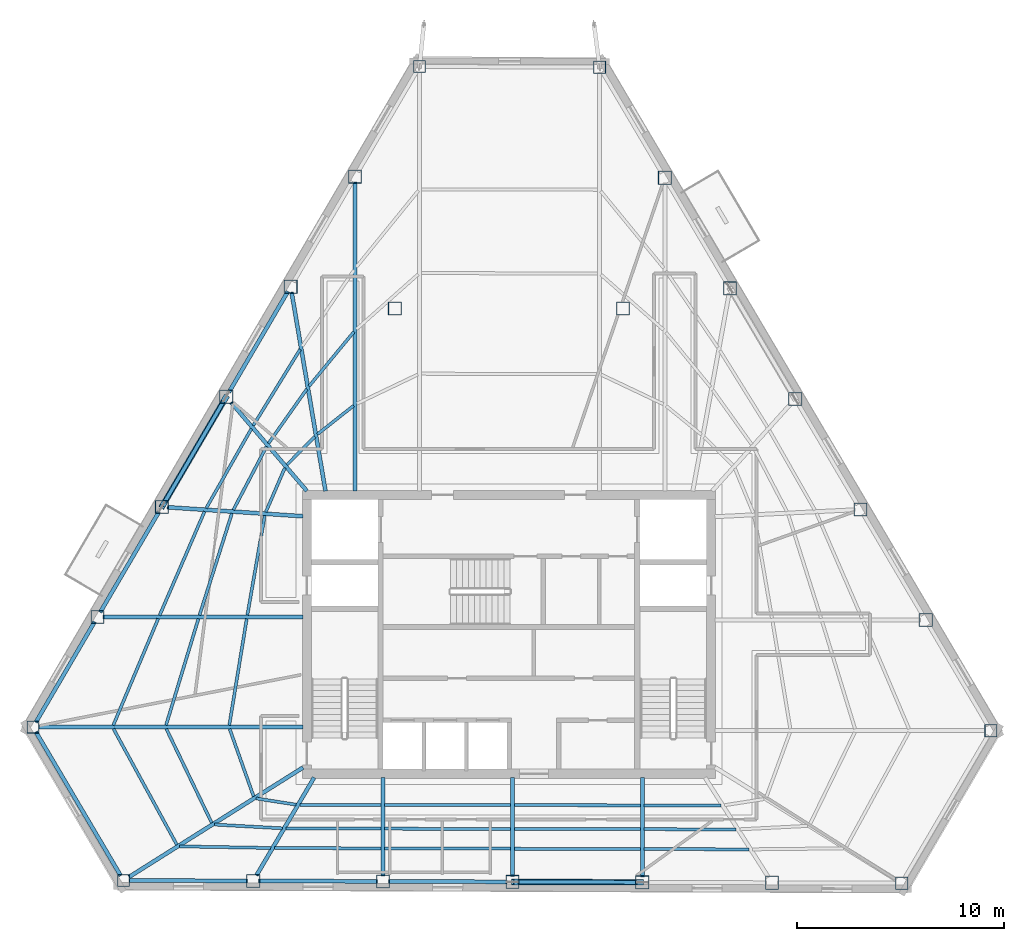
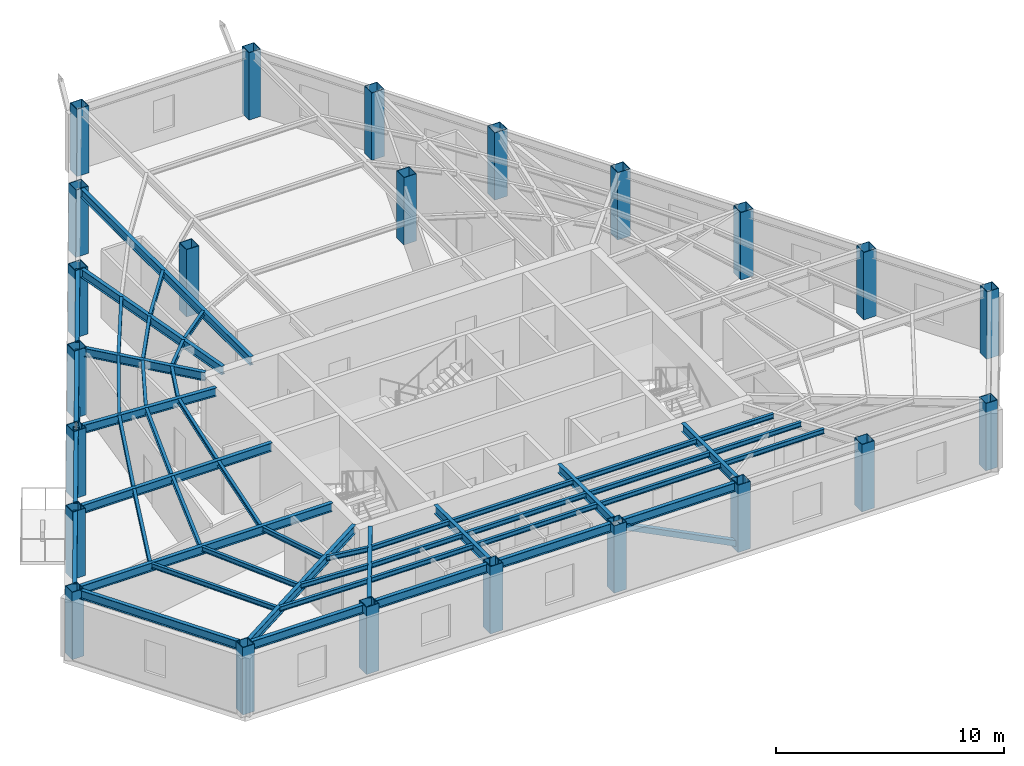
# One storey, part 1 of 10: 52 beams, 23 columns, 2 members.
"""IFC4 building model written with IfcOpenShell, lengths in metres."""

from ifc_helpers import new_model, si_unit, direction, frame, origin, origin_2d, place, context, subcontext, project, spatial, hollow_rectangle, i_section, extrude, material, material_profile, profile_set, type_object, element, save


model = new_model("IFC4")

# Units and contexts
model_context = context("Model", 3, precision=1e-05, world=origin(), true_north=direction((0.0, 1.0)))
body_context = subcontext(model_context, "Body", "Model", "MODEL_VIEW")
ifc_project = project(units=[si_unit("LENGTHUNIT", "METRE"), si_unit("AREAUNIT", "SQUARE_METRE"), si_unit("VOLUMEUNIT", "CUBIC_METRE"), si_unit("PLANEANGLEUNIT", "RADIAN"), si_unit("MASSUNIT", "GRAM", prefix="KILO")], contexts=[model_context])

# Site, building, storey
site_placement = place(None, origin())
site = spatial("IfcSite", under=ifc_project, at=site_placement, CompositionType="ELEMENT")
building_placement = place(site_placement, origin())
building = spatial("IfcBuilding", under=site, at=building_placement, Name="Kavelnor Concourse Tower", CompositionType="ELEMENT")
storey_placement = place(building_placement, frame((0.0, 0.0, 199.64990234375)))
storey = spatial("IfcBuildingStorey", under=building, at=storey_placement, Name="L50", CompositionType="ELEMENT", Elevation=199.64990234375)

# Columns
ifc_material = material(Name="Steel Grade 350", Category="steel")
ifc_material_profile_1 = material_profile(ifc_material, hollow_rectangle(XDim=0.60009765625, YDim=0.60009765625, WallThickness=0.028076171875, at=origin_2d()), Name="SHS 600x600x28")
ifc_profile_set_1 = profile_set([ifc_material_profile_1], Name="Steel Grade 350")
column_type_1 = type_object("IfcColumnType", Name="COL-FOLD-Z3", PredefinedType="COLUMN", material=ifc_profile_set_1)
for number, where, z_axis, x_axis, name in (
    (1, (33.68896484375, 43.462158203125, 0.0), (0.0, 0.0, 1.0), (1.0, 0.0, 0.0), "L50 Perimeter Corner-Fold Column F0-B0"),
    (2, (15.0625, 11.626708984375, 0.0), (0.0, 0.0, 1.0), (1.0, 0.0, 0.0), "L50 Perimeter Corner-Fold Column F0-B6"),
    (3, (19.42333984375, 4.234130859375, 0.0), (0.0, 0.0, 1.0), (1.0, 0.0, 0.0), "L50 Perimeter Corner-Fold Column F1-B0"),
    (4, (56.926513671875, 4.10009765625, 0.0), (0.0, 0.0, 1.0), (1.0, 0.0, 0.0), "L50 Perimeter Corner-Fold Column F1-B6"),
    (5, (61.230224609375, 11.455810546875, 0.0), (0.0, 0.0, 1.0), (1.0, 0.0, 0.0), "L50 Perimeter Corner-Fold Column F2-B0"),
    (6, (42.3681640625, 43.43115234375, 0.0), (0.0, 0.0, 1.0), (1.0, 0.0, 0.0), "L50 Perimeter Corner-Fold Column F2-B6"),
):
    element("IfcColumn", number, at=place(storey_placement, frame(where, z_axis=z_axis, x_axis=x_axis)), inside=storey, type_object=column_type_1, Name=name, PredefinedType="COLUMN", context=body_context, shape_type="SweptSolid", body=[
        extrude(hollow_rectangle(XDim=0.60009765625, YDim=0.60009765625, WallThickness=0.028076171875, at=origin_2d()), origin(), (0.0, 0.0, 1.0), 3.60009765625),
    ])
ifc_material_profile_2 = material_profile(ifc_material, hollow_rectangle(XDim=0.639892578125, YDim=0.639892578125, WallThickness=0.028076171875, at=origin_2d()), Name="SHS 640x640x28")
ifc_profile_set_2 = profile_set([ifc_material_profile_2], Name="Steel Grade 350")
column_type_2 = type_object("IfcColumnType", Name="COL-TUBE-Z3", PredefinedType="COLUMN", material=ifc_profile_set_2)
for number, where, z_axis, x_axis, name in (
    (7, (30.584716796875, 38.15625, 0.0), (0.0, 0.0, 1.0), (1.0, 0.0, 0.0), "L50 Perimeter Framed-Tube Column F0-B1"),
    (8, (27.480224609375, 32.850341796875, 0.0), (0.0, 0.0, 1.0), (1.0, 0.0, 0.0), "L50 Perimeter Framed-Tube Column F0-B2"),
    (9, (24.375732421875, 27.54443359375, 0.0), (0.0, 0.0, 1.0), (1.0, 0.0, 0.0), "L50 Perimeter Framed-Tube Column F0-B3"),
    (10, (21.271484375, 22.238525390625, 0.0), (0.0, 0.0, 1.0), (1.0, 0.0, 0.0), "L50 Perimeter Framed-Tube Column F0-B4"),
    (11, (18.1669921875, 16.9326171875, 0.0), (0.0, 0.0, 1.0), (1.0, 0.0, 0.0), "L50 Perimeter Framed-Tube Column F0-B5"),
    (12, (25.673828125, 4.2119140625, 0.0), (0.0, 0.0, 1.0), (1.0, 0.0, 0.0), "L50 Perimeter Framed-Tube Column F1-B1"),
    (13, (31.92431640625, 4.189453125, 0.0), (0.0, 0.0, 1.0), (1.0, 0.0, 0.0), "L50 Perimeter Framed-Tube Column F1-B2"),
    (14, (38.1748046875, 4.167236328125, 0.0), (0.0, 0.0, 1.0), (1.0, 0.0, 0.0), "L50 Perimeter Framed-Tube Column F1-B3"),
    (15, (44.425537109375, 4.144775390625, 0.0), (0.0, 0.0, 1.0), (1.0, 0.0, 0.0), "L50 Perimeter Framed-Tube Column F1-B4"),
    (16, (50.676025390625, 4.12255859375, 0.0), (0.0, 0.0, 1.0), (1.0, 0.0, 0.0), "L50 Perimeter Framed-Tube Column F1-B5"),
    (17, (58.08642578125, 16.784912109375, 0.0), (0.0, 0.0, 1.0), (1.0, 0.0, 0.0), "L50 Perimeter Framed-Tube Column F2-B1"),
    (18, (54.94287109375, 22.1142578125, 0.0), (0.0, 0.0, 1.0), (1.0, 0.0, 0.0), "L50 Perimeter Framed-Tube Column F2-B2"),
    (19, (51.799072265625, 27.443359375, 0.0), (0.0, 0.0, 1.0), (1.0, 0.0, 0.0), "L50 Perimeter Framed-Tube Column F2-B3"),
    (20, (48.655517578125, 32.772705078125, 0.0), (0.0, 0.0, 1.0), (1.0, 0.0, 0.0), "L50 Perimeter Framed-Tube Column F2-B4"),
    (21, (45.51171875, 38.10205078125, 0.0), (0.0, 0.0, 1.0), (1.0, 0.0, 0.0), "L50 Perimeter Framed-Tube Column F2-B5"),
    (22, (32.5, 31.800048828125, 0.0), (0.0, 0.0, 1.0), (1.0, 0.0, 0.0), "L50 North Interior Gravity Column BC-NW"),
    (23, (43.5, 31.800048828125, 0.0), (0.0, 0.0, 1.0), (1.0, 0.0, 0.0), "L50 North Interior Gravity Column BC-NE"),
):
    element("IfcColumn", number, at=place(storey_placement, frame(where, z_axis=z_axis, x_axis=x_axis)), inside=storey, type_object=column_type_2, Name=name, PredefinedType="COLUMN", context=body_context, shape_type="SweptSolid", body=[
        extrude(hollow_rectangle(XDim=0.639892578125, YDim=0.639892578125, WallThickness=0.028076171875, at=origin_2d()), origin(), (0.0, 0.0, 1.0), 3.60009765625),
    ])

# Beams
ifc_material_profile_3 = material_profile(ifc_material, i_section(OverallWidth=0.14599609375, OverallDepth=0.256103515625, WebThickness=0.00634765625, FlangeThickness=0.010986328125, at=origin_2d()), Name="250UB37")
ifc_profile_set_3 = profile_set([ifc_material_profile_3], Name="Steel Grade 350")
beam_type_1 = type_object("IfcBeamType", Name="BM-JOIST-250", PredefinedType="JOIST", material=ifc_profile_set_3)
beam_1_placement = place(storey_placement, frame((24.53759765625, 11.54296875, 3.47216796875), z_axis=(0.33503473566, -0.942205776835, 0.0), x_axis=(0.942205776835, 0.33503473566, 0.0)))
element("IfcBeam", 24, at=beam_1_placement, inside=storey, type_object=beam_type_1, Name="L50 Secondary Composite Joist 01-1", PredefinedType="JOIST", context=body_context, shape_type="SweptSolid", body=[
    extrude(i_section(OverallWidth=0.14599609375, OverallDepth=0.256103515625, WebThickness=0.00634765625, FlangeThickness=0.010986328125, at=origin_2d()), origin(), (0.0, 0.0, 1.0), 3.45849609375),
])
beam_2_placement = place(storey_placement, frame((21.48486328125, 11.546630859375, 3.47216796875), z_axis=(0.435145070943, -0.9003603541, 0.0), x_axis=(0.9003603541, 0.435145070943, 0.0)))
element("IfcBeam", 25, at=beam_2_placement, inside=storey, type_object=beam_type_1, Name="L50 Secondary Composite Joist 01-2", PredefinedType="JOIST", context=body_context, shape_type="SweptSolid", body=[
    extrude(i_section(OverallWidth=0.14599609375, OverallDepth=0.256103515625, WebThickness=0.00634765625, FlangeThickness=0.010986328125, at=origin_2d()), origin(), (0.0, 0.0, 1.0), 5.03369140625),
])
beam_3_placement = place(storey_placement, frame((18.9375, 11.548583984375, 3.47216796875), z_axis=(0.479708194797, -0.877428086993, 0.0), x_axis=(0.877428086993, 0.479708194797, 0.0)))
element("IfcBeam", 26, at=beam_3_placement, inside=storey, type_object=beam_type_1, Name="L50 Secondary Composite Joist 01-3", PredefinedType="JOIST", context=body_context, shape_type="SweptSolid", body=[
    extrude(i_section(OverallWidth=0.14599609375, OverallDepth=0.256103515625, WebThickness=0.00634765625, FlangeThickness=0.010986328125, at=origin_2d()), origin(), (0.0, 0.0, 1.0), 6.372314453125),
])
beam_4_placement = place(storey_placement, frame((25.814208984375, 8.18701171875, 3.47216796875), z_axis=(0.988167044314, -0.153381526043, 0.0), x_axis=(0.153381526043, 0.988167044314, 0.0)))
element("IfcBeam", 27, at=beam_4_placement, inside=storey, type_object=beam_type_1, Name="L50 Secondary Composite Joist 02-1", PredefinedType="JOIST", context=body_context, shape_type="SweptSolid", body=[
    extrude(i_section(OverallWidth=0.14599609375, OverallDepth=0.256103515625, WebThickness=0.00634765625, FlangeThickness=0.010986328125, at=origin_2d()), origin(), (0.0, 0.0, 1.0), 1.953125),
])
beam_5_placement = place(storey_placement, frame((23.802978515625, 6.929443359375, 3.47216796875), z_axis=(0.998442887757, -0.055783509095, 0.0), x_axis=(0.055783509095, 0.998442887757, 0.0)))
element("IfcBeam", 28, at=beam_5_placement, inside=storey, type_object=beam_type_1, Name="L50 Secondary Composite Joist 02-2", PredefinedType="JOIST", context=body_context, shape_type="SweptSolid", body=[
    extrude(i_section(OverallWidth=0.14599609375, OverallDepth=0.256103515625, WebThickness=0.00634765625, FlangeThickness=0.010986328125, at=origin_2d()), origin(), (0.0, 0.0, 1.0), 3.278076171875),
])
beam_6_placement = place(storey_placement, frame((22.126220703125, 5.87744140625, 3.47216796875), z_axis=(0.999843911616, -0.017667835291, 0.0), x_axis=(0.017667835291, 0.999843911616, 0.0)))
element("IfcBeam", 29, at=beam_6_placement, inside=storey, type_object=beam_type_1, Name="L50 Secondary Composite Joist 02-3", PredefinedType="JOIST", context=body_context, shape_type="SweptSolid", body=[
    extrude(i_section(OverallWidth=0.14599609375, OverallDepth=0.256103515625, WebThickness=0.00634765625, FlangeThickness=0.010986328125, at=origin_2d()), origin(), (0.0, 0.0, 1.0), 4.394287109375),
])
beam_7_placement = place(storey_placement, frame((27.921142578125, 7.87353515625, 3.47216796875), z_axis=(0.999999562354, -0.000935569977, 0.0), x_axis=(0.000935569977, 0.999999562354, 0.0)))
element("IfcBeam", 30, at=beam_7_placement, inside=storey, type_object=beam_type_1, Name="L50 Secondary Composite Joist 03-1", PredefinedType="JOIST", context=body_context, shape_type="SweptSolid", body=[
    extrude(i_section(OverallWidth=0.14599609375, OverallDepth=0.256103515625, WebThickness=0.00634765625, FlangeThickness=0.010986328125, at=origin_2d()), origin(), (0.0, 0.0, 1.0), 3.914306640625),
])
beam_8_placement = place(storey_placement, frame((27.25390625, 6.741455078125, 3.47216796875), z_axis=(0.999996863681, -0.002504521613, 0.0), x_axis=(0.002504521613, 0.999996863681, 0.0)))
element("IfcBeam", 31, at=beam_8_placement, inside=storey, type_object=beam_type_1, Name="L50 Secondary Composite Joist 03-2", PredefinedType="JOIST", context=body_context, shape_type="SweptSolid", body=[
    extrude(i_section(OverallWidth=0.14599609375, OverallDepth=0.256103515625, WebThickness=0.00634765625, FlangeThickness=0.010986328125, at=origin_2d()), origin(), (0.0, 0.0, 1.0), 4.58154296875),
])
beam_9_placement = place(storey_placement, frame((26.69775390625, 5.7978515625, 3.47216796875), z_axis=(0.999993983343, -0.003468901387, 0.0), x_axis=(0.003468901387, 0.999993983343, 0.0)))
element("IfcBeam", 32, at=beam_9_placement, inside=storey, type_object=beam_type_1, Name="L50 Secondary Composite Joist 03-3", PredefinedType="JOIST", context=body_context, shape_type="SweptSolid", body=[
    extrude(i_section(OverallWidth=0.14599609375, OverallDepth=0.256103515625, WebThickness=0.00634765625, FlangeThickness=0.010986328125, at=origin_2d()), origin(), (0.0, 0.0, 1.0), 5.1376953125),
])
for number, where, z_axis, x_axis, name in (
    (33, (32.013427734375, 7.869873046875, 3.47216796875), (0.999999494881, -0.00100510543, 0.0), (0.00100510543, 0.999999494881, 0.0), "L50 Secondary Composite Joist 04-1"),
    (34, (32.013427734375, 6.7294921875, 3.47216796875), (0.999998289874, -0.001849391764, 0.0), (0.001849391764, 0.999998289874, 0.0), "L50 Secondary Composite Joist 04-2"),
    (35, (32.013427734375, 5.779296875, 3.47216796875), (0.999996792308, -0.00253285884, 0.0), (0.00253285884, 0.999996792308, 0.0), "L50 Secondary Composite Joist 04-3"),
    (36, (38.263916015625, 7.863525390625, 3.47216796875), (0.999999494881, -0.00100510543, 0.0), (0.00100510543, 0.999999494881, 0.0), "L50 Secondary Composite Joist 05-1"),
    (37, (38.263916015625, 6.718017578125, 3.47216796875), (0.999998289874, -0.001849391764, 0.0), (0.001849391764, 0.999998289874, 0.0), "L50 Secondary Composite Joist 05-2"),
    (38, (38.263916015625, 5.763427734375, 3.47216796875), (0.999996689669, -0.002573062684, 0.0), (0.002573062684, 0.999996689669, 0.0), "L50 Secondary Composite Joist 05-3"),
):
    element("IfcBeam", number, at=place(storey_placement, frame(where, z_axis=z_axis, x_axis=x_axis)), inside=storey, type_object=beam_type_1, Name=name, PredefinedType="JOIST", context=body_context, shape_type="SweptSolid", body=[
        extrude(i_section(OverallWidth=0.14599609375, OverallDepth=0.256103515625, WebThickness=0.00634765625, FlangeThickness=0.010986328125, at=origin_2d()), origin(), (0.0, 0.0, 1.0), 6.072509765625),
    ])
beam_10_placement = place(storey_placement, frame((44.514404296875, 7.857177734375, 3.47216796875), z_axis=(0.999997337757, -0.002307483308, 0.0), x_axis=(0.002307483308, 0.999997337757, 0.0)))
element("IfcBeam", 39, at=beam_10_placement, inside=storey, type_object=beam_type_1, Name="L50 Secondary Composite Joist 06-1", PredefinedType="JOIST", context=body_context, shape_type="SweptSolid", body=[
    extrude(i_section(OverallWidth=0.14599609375, OverallDepth=0.256103515625, WebThickness=0.00634765625, FlangeThickness=0.010986328125, at=origin_2d()), origin(), (0.0, 0.0, 1.0), 3.703125),
])
beam_11_placement = place(storey_placement, frame((44.514404296875, 6.706298828125, 3.47216796875), z_axis=(0.999996933891, -0.002476329629, 0.0), x_axis=(0.002476329629, 0.999996933891, 0.0)))
element("IfcBeam", 40, at=beam_11_placement, inside=storey, type_object=beam_type_1, Name="L50 Secondary Composite Joist 06-2", PredefinedType="JOIST", context=body_context, shape_type="SweptSolid", body=[
    extrude(i_section(OverallWidth=0.14599609375, OverallDepth=0.256103515625, WebThickness=0.00634765625, FlangeThickness=0.010986328125, at=origin_2d()), origin(), (0.0, 0.0, 1.0), 4.4365234375),
])
beam_12_placement = place(storey_placement, frame((44.514404296875, 5.747314453125, 3.47216796875), z_axis=(0.999996714295, -0.002563474044, 0.0), x_axis=(0.002563474044, 0.999996714295, 0.0)))
element("IfcBeam", 41, at=beam_12_placement, inside=storey, type_object=beam_type_1, Name="L50 Secondary Composite Joist 06-3", PredefinedType="JOIST", context=body_context, shape_type="SweptSolid", body=[
    extrude(i_section(OverallWidth=0.14599609375, OverallDepth=0.256103515625, WebThickness=0.00634765625, FlangeThickness=0.010986328125, at=origin_2d()), origin(), (0.0, 0.0, 1.0), 5.047607421875),
])
beam_13_placement = place(storey_placement, frame((30.5146484375, 27.115966796875, 3.47216796875), z_axis=(-0.785214687506, -0.619223622389, 0.0), x_axis=(0.619223622389, -0.785214687506, 0.0)))
element("IfcBeam", 42, at=beam_13_placement, inside=storey, type_object=beam_type_1, Name="L50 Secondary Composite Joist 17-1", PredefinedType="JOIST", context=body_context, shape_type="SweptSolid", body=[
    extrude(i_section(OverallWidth=0.14599609375, OverallDepth=0.256103515625, WebThickness=0.00634765625, FlangeThickness=0.010986328125, at=origin_2d()), origin(), (0.0, 0.0, 1.0), 2.220947265625),
])
beam_14_placement = place(storey_placement, frame((30.528076171875, 30.677490234375, 3.47216796875), z_axis=(-0.63631135783, -0.771432340453, 0.0), x_axis=(0.771432340453, -0.63631135783, 0.0)))
element("IfcBeam", 43, at=beam_14_placement, inside=storey, type_object=beam_type_1, Name="L50 Secondary Composite Joist 17-2", PredefinedType="JOIST", context=body_context, shape_type="SweptSolid", body=[
    extrude(i_section(OverallWidth=0.14599609375, OverallDepth=0.256103515625, WebThickness=0.00634765625, FlangeThickness=0.010986328125, at=origin_2d()), origin(), (0.0, 0.0, 1.0), 3.398681640625),
])
beam_15_placement = place(storey_placement, frame((28.638427734375, 25.622314453125, 3.47216796875), z_axis=(-0.703059846096, -0.711130686166, 0.0), x_axis=(0.711130686166, -0.703059846096, 0.0)))
element("IfcBeam", 44, at=beam_15_placement, inside=storey, type_object=beam_type_1, Name="L50 Secondary Composite Joist 18-1", PredefinedType="JOIST", context=body_context, shape_type="SweptSolid", body=[
    extrude(i_section(OverallWidth=0.14599609375, OverallDepth=0.256103515625, WebThickness=0.00634765625, FlangeThickness=0.010986328125, at=origin_2d()), origin(), (0.0, 0.0, 1.0), 1.90576171875),
])
beam_16_placement = place(storey_placement, frame((28.257568359375, 27.914306640625, 3.47216796875), z_axis=(-0.576994624532, -0.81674794353, 0.0), x_axis=(0.81674794353, -0.576994624532, 0.0)))
element("IfcBeam", 45, at=beam_16_placement, inside=storey, type_object=beam_type_1, Name="L50 Secondary Composite Joist 18-2", PredefinedType="JOIST", context=body_context, shape_type="SweptSolid", body=[
    extrude(i_section(OverallWidth=0.14599609375, OverallDepth=0.256103515625, WebThickness=0.00634765625, FlangeThickness=0.010986328125, at=origin_2d()), origin(), (0.0, 0.0, 1.0), 3.200439453125),
])
beam_17_placement = place(storey_placement, frame((27.935302734375, 29.8291015625, 3.47216796875), z_axis=(-0.524005812162, -0.851714687451, 0.0), x_axis=(0.851714687451, -0.524005812162, 0.0)))
element("IfcBeam", 46, at=beam_17_placement, inside=storey, type_object=beam_type_1, Name="L50 Secondary Composite Joist 18-3", PredefinedType="JOIST", context=body_context, shape_type="SweptSolid", body=[
    extrude(i_section(OverallWidth=0.14599609375, OverallDepth=0.256103515625, WebThickness=0.00634765625, FlangeThickness=0.010986328125, at=origin_2d()), origin(), (0.0, 0.0, 1.0), 4.31201171875),
])
beam_18_placement = place(storey_placement, frame((27.200927734375, 24.122314453125, 3.47216796875), z_axis=(-0.395948582881, -0.918272682657, 0.0), x_axis=(0.918272682657, -0.395948582881, 0.0)))
element("IfcBeam", 47, at=beam_18_placement, inside=storey, type_object=beam_type_1, Name="L50 Secondary Composite Joist 19-1", PredefinedType="JOIST", context=body_context, shape_type="SweptSolid", body=[
    extrude(i_section(OverallWidth=0.14599609375, OverallDepth=0.256103515625, WebThickness=0.00634765625, FlangeThickness=0.010986328125, at=origin_2d()), origin(), (0.0, 0.0, 1.0), 2.322021484375),
])
beam_19_placement = place(storey_placement, frame((26.318359375, 25.148681640625, 3.47216796875), z_axis=(-0.464191986479, -0.88573461019, 0.0), x_axis=(0.88573461019, -0.464191986479, 0.0)))
element("IfcBeam", 48, at=beam_19_placement, inside=storey, type_object=beam_type_1, Name="L50 Secondary Composite Joist 19-2", PredefinedType="JOIST", context=body_context, shape_type="SweptSolid", body=[
    extrude(i_section(OverallWidth=0.14599609375, OverallDepth=0.256103515625, WebThickness=0.00634765625, FlangeThickness=0.010986328125, at=origin_2d()), origin(), (0.0, 0.0, 1.0), 3.451904296875),
])
beam_20_placement = place(storey_placement, frame((25.585205078125, 26.00341796875, 3.47216796875), z_axis=(-0.49434002639, -0.869268622642, 0.0), x_axis=(0.869268622642, -0.49434002639, 0.0)))
element("IfcBeam", 49, at=beam_20_placement, inside=storey, type_object=beam_type_1, Name="L50 Secondary Composite Joist 19-3", PredefinedType="JOIST", context=body_context, shape_type="SweptSolid", body=[
    extrude(i_section(OverallWidth=0.14599609375, OverallDepth=0.256103515625, WebThickness=0.00634765625, FlangeThickness=0.010986328125, at=origin_2d()), origin(), (0.0, 0.0, 1.0), 4.40185546875),
])
beam_21_placement = place(storey_placement, frame((26.23095703125, 21.820556640625, 3.47216796875), z_axis=(-0.172055818685, -0.985087201854, 0.0), x_axis=(0.985087201854, -0.172055818685, 0.0)))
element("IfcBeam", 50, at=beam_21_placement, inside=storey, type_object=beam_type_1, Name="L50 Secondary Composite Joist 20-1", PredefinedType="JOIST", context=body_context, shape_type="SweptSolid", body=[
    extrude(i_section(OverallWidth=0.14599609375, OverallDepth=0.256103515625, WebThickness=0.00634765625, FlangeThickness=0.010986328125, at=origin_2d()), origin(), (0.0, 0.0, 1.0), 4.872802734375),
])
beam_22_placement = place(storey_placement, frame((24.647705078125, 21.927734375, 3.47216796875), z_axis=(-0.302847658855, -0.953038979017, 0.0), x_axis=(0.953038979017, -0.302847658855, 0.0)))
element("IfcBeam", 51, at=beam_22_placement, inside=storey, type_object=beam_type_1, Name="L50 Secondary Composite Joist 20-2", PredefinedType="JOIST", context=body_context, shape_type="SweptSolid", body=[
    extrude(i_section(OverallWidth=0.14599609375, OverallDepth=0.256103515625, WebThickness=0.00634765625, FlangeThickness=0.010986328125, at=origin_2d()), origin(), (0.0, 0.0, 1.0), 5.152099609375),
])
beam_23_placement = place(storey_placement, frame((23.32958984375, 22.017822265625, 3.47216796875), z_axis=(-0.397014138639, -0.91781249377, 0.0), x_axis=(0.91781249377, -0.397014138639, 0.0)))
element("IfcBeam", 52, at=beam_23_placement, inside=storey, type_object=beam_type_1, Name="L50 Secondary Composite Joist 20-3", PredefinedType="JOIST", context=body_context, shape_type="SweptSolid", body=[
    extrude(i_section(OverallWidth=0.14599609375, OverallDepth=0.256103515625, WebThickness=0.00634765625, FlangeThickness=0.010986328125, at=origin_2d()), origin(), (0.0, 0.0, 1.0), 5.451416015625),
])
beam_24_placement = place(storey_placement, frame((25.36279296875, 16.844970703125, 3.47216796875), z_axis=(-0.161687310679, -0.986842040838, 0.0), x_axis=(0.986842040838, -0.161687310679, 0.0)))
element("IfcBeam", 53, at=beam_24_placement, inside=storey, type_object=beam_type_1, Name="L50 Secondary Composite Joist 21-1", PredefinedType="JOIST", context=body_context, shape_type="SweptSolid", body=[
    extrude(i_section(OverallWidth=0.14599609375, OverallDepth=0.256103515625, WebThickness=0.00634765625, FlangeThickness=0.010986328125, at=origin_2d()), origin(), (0.0, 0.0, 1.0), 5.19873046875),
])
beam_25_placement = place(storey_placement, frame((23.034423828125, 16.84765625, 3.47216796875), z_axis=(-0.291025881316, -0.956715180398, 0.0), x_axis=(0.956715180398, -0.291025881316, 0.0)))
element("IfcBeam", 54, at=beam_25_placement, inside=storey, type_object=beam_type_1, Name="L50 Secondary Composite Joist 21-2", PredefinedType="JOIST", context=body_context, shape_type="SweptSolid", body=[
    extrude(i_section(OverallWidth=0.14599609375, OverallDepth=0.256103515625, WebThickness=0.00634765625, FlangeThickness=0.010986328125, at=origin_2d()), origin(), (0.0, 0.0, 1.0), 5.3681640625),
])
beam_26_placement = place(storey_placement, frame((21.09521484375, 16.8505859375, 3.47216796875), z_axis=(-0.388213490646, -0.921569468722, 0.0), x_axis=(0.921569468722, -0.388213490646, 0.0)))
element("IfcBeam", 55, at=beam_26_placement, inside=storey, type_object=beam_type_1, Name="L50 Secondary Composite Joist 21-3", PredefinedType="JOIST", context=body_context, shape_type="SweptSolid", body=[
    extrude(i_section(OverallWidth=0.14599609375, OverallDepth=0.256103515625, WebThickness=0.00634765625, FlangeThickness=0.010986328125, at=origin_2d()), origin(), (0.0, 0.0, 1.0), 5.579345703125),
])
ifc_material_profile_4 = material_profile(ifc_material, i_section(OverallWidth=0.18994140625, OverallDepth=0.4541015625, WebThickness=0.008544921875, FlangeThickness=0.0126953125, at=origin_2d()), Name="460UB67")
ifc_profile_set_4 = profile_set([ifc_material_profile_4], Name="Steel Grade 350")
beam_type_2 = type_object("IfcBeamType", Name="BM-PRIMARY-460", PredefinedType="BEAM", material=ifc_profile_set_4)
beam_27_placement = place(storey_placement, frame((30.584716796875, 23.0, 3.373046875), z_axis=(0.0, 1.0, 0.0), x_axis=(-1.0, 0.0, 0.0)))
element("IfcBeam", 56, at=beam_27_placement, inside=storey, type_object=beam_type_2, Name="L50 Primary Floor Girder F0-B1", PredefinedType="BEAM", context=body_context, shape_type="SweptSolid", body=[
    extrude(i_section(OverallWidth=0.18994140625, OverallDepth=0.4541015625, WebThickness=0.008544921875, FlangeThickness=0.0126953125, at=origin_2d()), origin(), (0.0, 0.0, 1.0), 14.896240234375),
])
beam_28_placement = place(storey_placement, frame((29.158447265625, 23.00048828125, 3.373046875), z_axis=(-0.167955034541, 0.985794657306, 0.0), x_axis=(-0.985794657306, -0.167955034541, 0.0)))
element("IfcBeam", 57, at=beam_28_placement, inside=storey, type_object=beam_type_2, Name="L50 Primary Floor Girder F0-B2", PredefinedType="BEAM", context=body_context, shape_type="SweptSolid", body=[
    extrude(i_section(OverallWidth=0.18994140625, OverallDepth=0.4541015625, WebThickness=0.008544921875, FlangeThickness=0.0126953125, at=origin_2d()), origin(), (0.0, 0.0, 1.0), 9.7275390625),
])
beam_29_placement = place(storey_placement, frame((28.2587890625, 23.009521484375, 3.373046875), z_axis=(-0.650386680349, 0.759603295165, 0.0), x_axis=(-0.759603295165, -0.650386680349, 0.0)))
element("IfcBeam", 58, at=beam_29_placement, inside=storey, type_object=beam_type_2, Name="L50 Primary Floor Girder F0-B3", PredefinedType="BEAM", context=body_context, shape_type="SweptSolid", body=[
    extrude(i_section(OverallWidth=0.18994140625, OverallDepth=0.4541015625, WebThickness=0.008544921875, FlangeThickness=0.0126953125, at=origin_2d()), origin(), (0.0, 0.0, 1.0), 5.615234375),
])
beam_30_placement = place(storey_placement, frame((28.079833984375, 21.786376953125, 3.373046875), z_axis=(-0.997802735699, 0.066254815908, 0.0), x_axis=(-0.066254815908, -0.997802735699, 0.0)))
element("IfcBeam", 59, at=beam_30_placement, inside=storey, type_object=beam_type_2, Name="L50 Primary Floor Girder F0-B4", PredefinedType="BEAM", context=body_context, shape_type="SweptSolid", body=[
    extrude(i_section(OverallWidth=0.18994140625, OverallDepth=0.4541015625, WebThickness=0.008544921875, FlangeThickness=0.0126953125, at=origin_2d()), origin(), (0.0, 0.0, 1.0), 6.562744140625),
])
beam_31_placement = place(storey_placement, frame((28.080078125, 16.9326171875, 3.373046875), z_axis=(-1.0, 0.0, 0.0), x_axis=(0.0, -1.0, 0.0)))
element("IfcBeam", 60, at=beam_31_placement, inside=storey, type_object=beam_type_2, Name="L50 Primary Floor Girder F0-B5", PredefinedType="BEAM", context=body_context, shape_type="SweptSolid", body=[
    extrude(i_section(OverallWidth=0.18994140625, OverallDepth=0.4541015625, WebThickness=0.008544921875, FlangeThickness=0.0126953125, at=origin_2d()), origin(), (0.0, 0.0, 1.0), 9.653076171875),
])
beam_32_placement = place(storey_placement, frame((28.080078125, 11.626708984375, 3.373046875), z_axis=(-1.0, 0.0, 0.0), x_axis=(0.0, -1.0, 0.0)))
element("IfcBeam", 61, at=beam_32_placement, inside=storey, type_object=beam_type_2, Name="L50 Primary Floor Girder F0-B6", PredefinedType="BEAM", context=body_context, shape_type="SweptSolid", body=[
    extrude(i_section(OverallWidth=0.18994140625, OverallDepth=0.4541015625, WebThickness=0.008544921875, FlangeThickness=0.0126953125, at=origin_2d()), origin(), (0.0, 0.0, 1.0), 12.757568359375),
])
beam_33_placement = place(storey_placement, frame((28.073974609375, 9.677978515625, 3.373046875), z_axis=(-0.846359160696, -0.532612590075, 0.0), x_axis=(0.532612590075, -0.846359160696, 0.0)))
element("IfcBeam", 62, at=beam_33_placement, inside=storey, type_object=beam_type_2, Name="L50 Primary Floor Girder F1-B0", PredefinedType="BEAM", context=body_context, shape_type="SweptSolid", body=[
    extrude(i_section(OverallWidth=0.18994140625, OverallDepth=0.4541015625, WebThickness=0.008544921875, FlangeThickness=0.0126953125, at=origin_2d()), origin(), (0.0, 0.0, 1.0), 9.906494140625),
])
beam_34_placement = place(storey_placement, frame((28.610595703125, 9.194580078125, 3.373046875), z_axis=(-0.507752585468, -0.861502937865, 0.0), x_axis=(0.861502937865, -0.507752585468, 0.0)))
element("IfcBeam", 63, at=beam_34_placement, inside=storey, type_object=beam_type_2, Name="L50 Primary Floor Girder F1-B1", PredefinedType="BEAM", context=body_context, shape_type="SweptSolid", body=[
    extrude(i_section(OverallWidth=0.18994140625, OverallDepth=0.4541015625, WebThickness=0.008544921875, FlangeThickness=0.0126953125, at=origin_2d()), origin(), (0.0, 0.0, 1.0), 5.4755859375),
])
beam_35_placement = place(storey_placement, frame((31.92431640625, 9.199951171875, 3.373046875), z_axis=(0.0, -1.0, 0.0), x_axis=(1.0, 0.0, 0.0)))
element("IfcBeam", 64, at=beam_35_placement, inside=storey, type_object=beam_type_2, Name="L50 Primary Floor Girder F1-B2", PredefinedType="BEAM", context=body_context, shape_type="SweptSolid", body=[
    extrude(i_section(OverallWidth=0.18994140625, OverallDepth=0.4541015625, WebThickness=0.008544921875, FlangeThickness=0.0126953125, at=origin_2d()), origin(), (0.0, 0.0, 1.0), 4.75048828125),
])
beam_36_placement = place(storey_placement, frame((38.1748046875, 9.199951171875, 3.373046875), z_axis=(0.0, -1.0, 0.0), x_axis=(1.0, 0.0, 0.0)))
element("IfcBeam", 65, at=beam_36_placement, inside=storey, type_object=beam_type_2, Name="L50 Primary Floor Girder F1-B3", PredefinedType="BEAM", context=body_context, shape_type="SweptSolid", body=[
    extrude(i_section(OverallWidth=0.18994140625, OverallDepth=0.4541015625, WebThickness=0.008544921875, FlangeThickness=0.0126953125, at=origin_2d()), origin(), (0.0, 0.0, 1.0), 4.772705078125),
])
beam_37_placement = place(storey_placement, frame((44.425537109375, 9.199951171875, 3.373046875), z_axis=(0.0, -1.0, 0.0), x_axis=(1.0, 0.0, 0.0)))
element("IfcBeam", 66, at=beam_37_placement, inside=storey, type_object=beam_type_2, Name="L50 Primary Floor Girder F1-B4", PredefinedType="BEAM", context=body_context, shape_type="SweptSolid", body=[
    extrude(i_section(OverallWidth=0.18994140625, OverallDepth=0.4541015625, WebThickness=0.008544921875, FlangeThickness=0.0126953125, at=origin_2d()), origin(), (0.0, 0.0, 1.0), 4.795166015625),
])
ifc_material_profile_5 = material_profile(ifc_material, i_section(OverallWidth=0.19091796875, OverallDepth=0.4599609375, WebThickness=0.010009765625, FlangeThickness=0.01611328125, at=origin_2d()), Name="460UB82")
ifc_profile_set_5 = profile_set([ifc_material_profile_5], Name="Steel Grade 350")
beam_type_3 = type_object("IfcBeamType", Name="BM-SPANDREL-Z3", PredefinedType="SPANDREL", material=ifc_profile_set_5)
for number, where, z_axis, x_axis, name in (
    (67, (27.346435546875, 32.62158203125, 3.3701171875), (-0.505024449154, -0.863105037499, 0.0), (0.863105037499, -0.505024449154, 0.0), "L50 Perimeter Tube Spandrel Beam F0-B2"),
    (68, (24.241943359375, 27.31591796875, 3.3701171875), (-0.504973127821, -0.863135064853, 0.0), (0.863135064853, -0.504973127821, 0.0), "L50 Perimeter Tube Spandrel Beam F0-B3"),
):
    element("IfcBeam", number, at=place(storey_placement, frame(where, z_axis=z_axis, x_axis=x_axis)), inside=storey, type_object=beam_type_3, Name=name, PredefinedType="SPANDREL", context=body_context, shape_type="SweptSolid", body=[
        extrude(i_section(OverallWidth=0.19091796875, OverallDepth=0.4599609375, WebThickness=0.010009765625, FlangeThickness=0.01611328125, at=origin_2d()), origin(), (0.0, 0.0, 1.0), 5.617431640625),
    ])
for number, where, z_axis, x_axis, name in (
    (69, (21.1376953125, 22.010009765625, 3.3701171875), (-0.505005505278, -0.863116121758, 0.0), (0.863116121758, -0.505005505278, 0.0), "L50 Perimeter Tube Spandrel Beam F0-B4"),
    (70, (18.033203125, 16.7041015625, 3.3701171875), (-0.505005505278, -0.863116121758, 0.0), (0.863116121758, -0.505005505278, 0.0), "L50 Perimeter Tube Spandrel Beam F0-B5"),
):
    element("IfcBeam", number, at=place(storey_placement, frame(where, z_axis=z_axis, x_axis=x_axis)), inside=storey, type_object=beam_type_3, Name=name, PredefinedType="SPANDREL", context=body_context, shape_type="SweptSolid", body=[
        extrude(i_section(OverallWidth=0.19091796875, OverallDepth=0.4599609375, WebThickness=0.010009765625, FlangeThickness=0.01611328125, at=origin_2d()), origin(), (0.0, 0.0, 1.0), 5.61767578125),
    ])
for number, where, z_axis, x_axis, name in (
    (71, (19.6884765625, 4.2333984375, 3.3701171875), (0.99999357397, -0.003584971201, 0.0), (0.003584971201, 0.99999357397, 0.0), "L50 Perimeter Tube Spandrel Beam F1-B0"),
    (72, (25.93896484375, 4.2109375, 3.3701171875), (0.99999357397, -0.003584971201, 0.0), (0.003584971201, 0.99999357397, 0.0), "L50 Perimeter Tube Spandrel Beam F1-B1"),
    (73, (32.189453125, 4.188720703125, 3.3701171875), (0.99999357397, -0.003584971201, 0.0), (0.003584971201, 0.99999357397, 0.0), "L50 Perimeter Tube Spandrel Beam F1-B2"),
    (74, (38.43994140625, 4.166259765625, 3.3701171875), (0.99999357397, -0.003584971201, 0.0), (0.003584971201, 0.99999357397, 0.0), "L50 Perimeter Tube Spandrel Beam F1-B3"),
):
    element("IfcBeam", number, at=place(storey_placement, frame(where, z_axis=z_axis, x_axis=x_axis)), inside=storey, type_object=beam_type_3, Name=name, PredefinedType="SPANDREL", context=body_context, shape_type="SweptSolid", body=[
        extrude(i_section(OverallWidth=0.19091796875, OverallDepth=0.4599609375, WebThickness=0.010009765625, FlangeThickness=0.01611328125, at=origin_2d()), origin(), (0.0, 0.0, 1.0), 5.720458984375),
    ])
beam_38_placement = place(storey_placement, frame((15.197265625, 11.398681640625, 3.3701171875), z_axis=(0.508070376237, -0.861315559357, 0.0), x_axis=(0.861315559357, 0.508070376237, 0.0)))
element("IfcBeam", 75, at=beam_38_placement, inside=storey, type_object=beam_type_3, Name="L50 Chamfer Facet Spandrel Beam C1", PredefinedType="SPANDREL", context=body_context, shape_type="SweptSolid", body=[
    extrude(i_section(OverallWidth=0.19091796875, OverallDepth=0.4599609375, WebThickness=0.010009765625, FlangeThickness=0.01611328125, at=origin_2d()), origin(), (0.0, 0.0, 1.0), 8.05322265625),
])

# Members
ifc_material_profile_6 = material_profile(ifc_material, hollow_rectangle(XDim=0.280029296875, YDim=0.280029296875, WallThickness=0.01611328125, at=origin_2d()), Name="SHS 280x280x16")
ifc_profile_set_6 = profile_set([ifc_material_profile_6], Name="Steel Grade 350")
member_type = type_object("IfcMemberType", Name="MBR-TUBE-DIAG-Z3", PredefinedType="BRACE", material=ifc_profile_set_6)
member_1_placement = place(storey_placement, frame((24.375732421875, 27.54443359375, 0.22021484375), z_axis=(-0.449415037965, -0.768158633118, 0.456024602425), x_axis=(0.863131427578, -0.504979344852, 0.0)))
element("IfcMember", 76, at=member_1_placement, inside=storey, type_object=member_type, Name="L50 Framed-Tube Bracing Diagonal F0-B3", PredefinedType="BRACE", context=body_context, shape_type="SweptSolid", body=[
    extrude(hollow_rectangle(XDim=0.280029296875, YDim=0.280029296875, WallThickness=0.01611328125, at=origin_2d()), origin(), (0.0, 0.0, 1.0), 6.9072265625),
])
member_2_placement = place(storey_placement, frame((44.425537109375, 4.144775390625, 0.22021484375), z_axis=(-0.893016039878, 0.00320890035, 0.450013394778), x_axis=(-0.003593305708, -0.999993544056, 0.0)))
element("IfcMember", 77, at=member_2_placement, inside=storey, type_object=member_type, Name="L50 Framed-Tube Bracing Diagonal F1-B3", PredefinedType="BRACE", context=body_context, shape_type="SweptSolid", body=[
    extrude(hollow_rectangle(XDim=0.280029296875, YDim=0.280029296875, WallThickness=0.01611328125, at=origin_2d()), origin(), (0.0, 0.0, 1.0), 6.99951171875),
])

save(model, "model.ifc")
